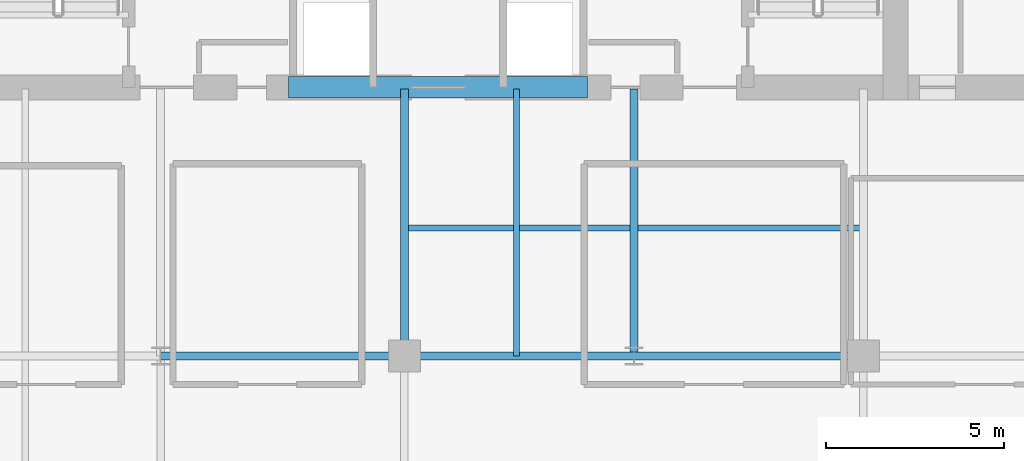
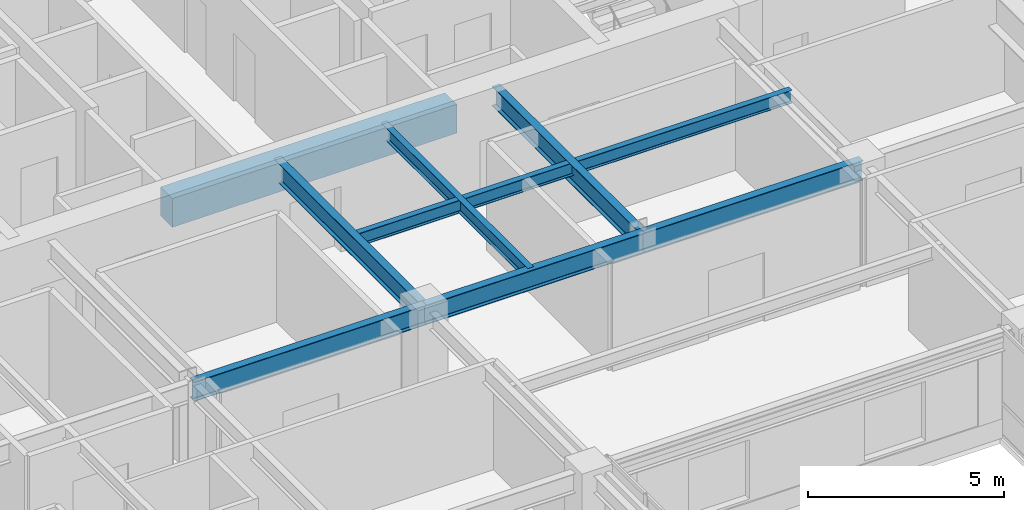
# One storey, part 7 of 31: 8 beams.
"""IFC4 building model written with IfcOpenShell, lengths in metres."""

from ifc_helpers import new_model, si_unit, direction, frame, origin, origin_2d, place, context, subcontext, project, spatial, rectangle, i_section, extrude, source, transform, mapped, material, material_profile, profile_set, type_object, type_shapes, element, save


model = new_model("IFC4")

# Units and contexts
model_context = context("Model", 3, precision=1e-05, world=origin(), true_north=direction((0.0, 1.0)))
body_context = subcontext(model_context, "Body", "Model", "MODEL_VIEW")
ifc_project = project(units=[si_unit("LENGTHUNIT", "METRE"), si_unit("AREAUNIT", "SQUARE_METRE"), si_unit("VOLUMEUNIT", "CUBIC_METRE"), si_unit("PLANEANGLEUNIT", "RADIAN"), si_unit("MASSUNIT", "GRAM", prefix="KILO")], contexts=[model_context])

# Site, building, storey
site_placement = place(None, origin())
site = spatial("IfcSite", under=ifc_project, at=site_placement, CompositionType="ELEMENT")
building_placement = place(site_placement, origin())
building = spatial("IfcBuilding", under=site, at=building_placement, Name="Tolvann Quenvar Hotel", CompositionType="ELEMENT")
storey_placement = place(building_placement, frame((0.0, 0.0, 125.75)))
storey = spatial("IfcBuildingStorey", under=building, at=storey_placement, Name="L32", CompositionType="ELEMENT", Elevation=125.75)

# Beams
ifc_material_1 = material(Name="Concrete N50 (50 MPa)", Category="concrete")
ifc_material_profile_1 = material_profile(ifc_material_1, rectangle(XDim=0.60009765625, YDim=0.89990234375, at=origin_2d()), Name="RC600x900")
ifc_profile_set_1 = profile_set([ifc_material_profile_1], Name="Concrete N50 (50 MPa)")
beam_type_1 = type_object("IfcBeamType", Name="BM_LINT_RC600x900", PredefinedType="LINTEL", material=ifc_profile_set_1)
shared_shape_1 = source(origin(), body_context, "Body", "SweptSolid", [
    extrude(rectangle(XDim=0.60009765625, YDim=0.89990234375, at=origin_2d()), origin(), (0.0, 0.0, 1.0), 8.39990234375),
])
type_shapes(beam_type_1, [shared_shape_1])
beam_1_placement = place(storey_placement, frame((18.800048828125, 31.949951171875, 2.919921875), z_axis=(1.0, 0.0, 0.0), x_axis=(0.0, 1.0, 0.0)))
element("IfcBeam", 1, at=beam_1_placement, inside=storey, type_object=beam_type_1, Name="Core Coupling Lintel Beam (L32)", PredefinedType="LINTEL", context=body_context, shape_type="MappedRepresentation", body=[
    mapped(shared_shape_1, transform((0.0, 0.0, 0.0), x_axis=(1.0, 0.0, 0.0), y_axis=(0.0, 1.0, 0.0), z_axis=(0.0, 0.0, 1.0), scale=1.0)),
])
ifc_material_2 = material(Name="Steel Grade 350", Category="steel")
ifc_material_profile_2 = material_profile(ifc_material_2, i_section(OverallWidth=0.22900390625, OverallDepth=0.612060546875, WebThickness=0.011962890625, FlangeThickness=0.01953125, FilletRadius=0.013916015625, at=origin_2d()), Name="610UB125")
ifc_profile_set_2 = profile_set([ifc_material_profile_2], Name="Steel Grade 350")
beam_type_2 = type_object("IfcBeamType", Name="BM_GIRD_610UB125", PredefinedType="BEAM", material=ifc_profile_set_2)
shared_shape_2 = source(origin(), body_context, "Body", "SweptSolid", [
    extrude(i_section(OverallWidth=0.22900390625, OverallDepth=0.612060546875, WebThickness=0.011962890625, FlangeThickness=0.01953125, FilletRadius=0.013916015625, at=origin_2d()), origin(), (0.0, 0.0, 1.0), 6.85009765625),
])
beam_2_placement = place(storey_placement, frame((15.199951171875, 24.39990234375, 3.06396484375), z_axis=(1.0, 0.0, 0.0), x_axis=(0.0, 1.0, 0.0)))
element("IfcBeam", 2, at=beam_2_placement, inside=storey, type_object=beam_type_2, Name="BM-L32-EW-5-D5-E5", PredefinedType="BEAM", context=body_context, shape_type="MappedRepresentation", body=[
    mapped(shared_shape_2, transform((0.0, 0.0, 0.0), x_axis=(1.0, 0.0, 0.0), y_axis=(0.0, 1.0, 0.0), z_axis=(0.0, 0.0, 1.0), scale=1.0)),
])
shared_shape_3 = source(origin(), body_context, "Body", "SweptSolid", [
    extrude(i_section(OverallWidth=0.22900390625, OverallDepth=0.612060546875, WebThickness=0.011962890625, FlangeThickness=0.01953125, FilletRadius=0.013916015625, at=origin_2d()), origin(), (0.0, 0.0, 1.0), 6.449951171875),
])
for number, where, z_axis, x_axis, name in (
    (3, (22.050048828125, 24.39990234375, 3.06396484375), (1.0, 0.0, 0.0), (0.0, 1.0, 0.0), "BM-L32-EW-5-E5-M5"),
    (4, (28.5, 24.39990234375, 3.06396484375), (1.0, 0.0, 0.0), (0.0, 1.0, 0.0), "BM-L32-EW-5-M5-F5"),
):
    element("IfcBeam", number, at=place(storey_placement, frame(where, z_axis=z_axis, x_axis=x_axis)), inside=storey, type_object=beam_type_2, Name=name, PredefinedType="BEAM", context=body_context, shape_type="MappedRepresentation", body=[
        mapped(shared_shape_3, transform((0.0, 0.0, 0.0), x_axis=(1.0, 0.0, 0.0), y_axis=(0.0, 1.0, 0.0), z_axis=(0.0, 0.0, 1.0), scale=1.0)),
    ])
shared_shape_4 = source(origin(), body_context, "Body", "SweptSolid", [
    extrude(i_section(OverallWidth=0.22900390625, OverallDepth=0.612060546875, WebThickness=0.011962890625, FlangeThickness=0.01953125, FilletRadius=0.013916015625, at=origin_2d()), origin(), (0.0, 0.0, 1.0), 7.5),
])
type_shapes(beam_type_2, [shared_shape_2, shared_shape_3, shared_shape_4])
for number, where, z_axis, x_axis, name in (
    (5, (22.050048828125, 24.39990234375, 3.06396484375), (0.0, 1.0, 0.0), (-1.0, 0.0, 0.0), "BM-L32-CORE-E5"),
    (6, (28.5, 24.39990234375, 3.06396484375), (0.0, 1.0, 0.0), (-1.0, 0.0, 0.0), "BM-L32-CORE-M5"),
):
    element("IfcBeam", number, at=place(storey_placement, frame(where, z_axis=z_axis, x_axis=x_axis)), inside=storey, type_object=beam_type_2, Name=name, PredefinedType="BEAM", context=body_context, shape_type="MappedRepresentation", body=[
        mapped(shared_shape_4, transform((0.0, 0.0, 0.0), x_axis=(1.0, 0.0, 0.0), y_axis=(0.0, 1.0, 0.0), z_axis=(0.0, 0.0, 1.0), scale=1.0)),
    ])
ifc_material_profile_3 = material_profile(ifc_material_2, i_section(OverallWidth=0.177978515625, OverallDepth=0.406005859375, WebThickness=0.0078125, FlangeThickness=0.0126953125, FilletRadius=0.011474609375, at=origin_2d()), Name="410UB60")
ifc_profile_set_3 = profile_set([ifc_material_profile_3], Name="Steel Grade 350")
beam_type_3 = type_object("IfcBeamType", Name="BM_JOIST_410UB60", PredefinedType="JOIST", material=ifc_profile_set_3)
shared_shape_5 = source(origin(), body_context, "Body", "SweptSolid", [
    extrude(i_section(OverallWidth=0.177978515625, OverallDepth=0.406005859375, WebThickness=0.0078125, FlangeThickness=0.0126953125, FilletRadius=0.011474609375, at=origin_2d()), origin(), (0.0, 0.0, 1.0), 12.89990234375),
])
beam_3_placement = place(storey_placement, frame((22.050048828125, 28.0, 3.1669921875), z_axis=(1.0, 0.0, 0.0), x_axis=(0.0, 1.0, 0.0)))
element("IfcBeam", 7, at=beam_3_placement, inside=storey, type_object=beam_type_3, Name="BM-L32-SPINE-28", PredefinedType="JOIST", context=body_context, shape_type="MappedRepresentation", body=[
    mapped(shared_shape_5, transform((0.0, 0.0, 0.0), x_axis=(1.0, 0.0, 0.0), y_axis=(0.0, 1.0, 0.0), z_axis=(0.0, 0.0, 1.0), scale=1.0)),
])
shared_shape_6 = source(origin(), body_context, "Body", "SweptSolid", [
    extrude(i_section(OverallWidth=0.177978515625, OverallDepth=0.406005859375, WebThickness=0.0078125, FlangeThickness=0.0126953125, FilletRadius=0.011474609375, at=origin_2d()), origin(), (0.0, 0.0, 1.0), 7.5),
])
type_shapes(beam_type_3, [shared_shape_5, shared_shape_6])
beam_4_placement = place(storey_placement, frame((25.199951171875, 24.39990234375, 3.1669921875), z_axis=(0.0, 1.0, 0.0), x_axis=(-1.0, 0.0, 0.0)))
element("IfcBeam", 8, at=beam_4_placement, inside=storey, type_object=beam_type_3, Name="BJ-L32-252-244", PredefinedType="JOIST", context=body_context, shape_type="MappedRepresentation", body=[
    mapped(shared_shape_6, transform((0.0, 0.0, 0.0), x_axis=(1.0, 0.0, 0.0), y_axis=(0.0, 1.0, 0.0), z_axis=(0.0, 0.0, 1.0), scale=1.0)),
])

save(model, "model.ifc")
